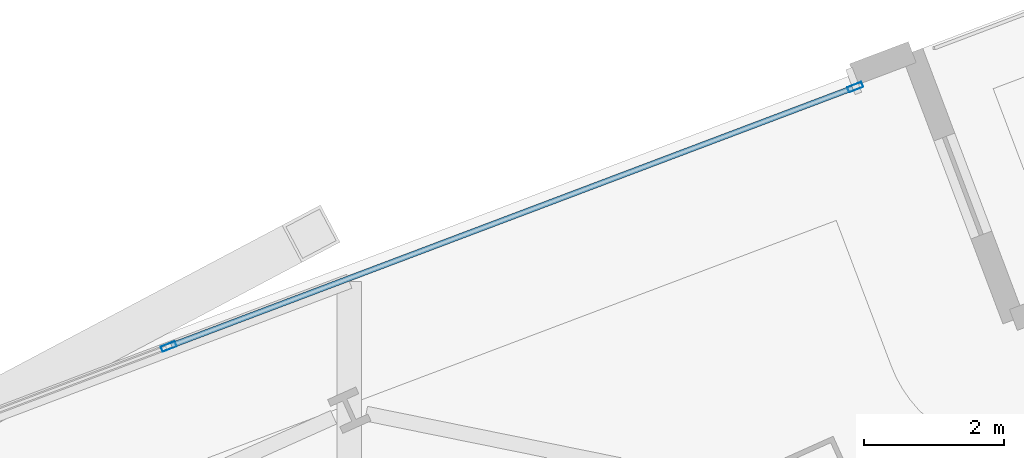
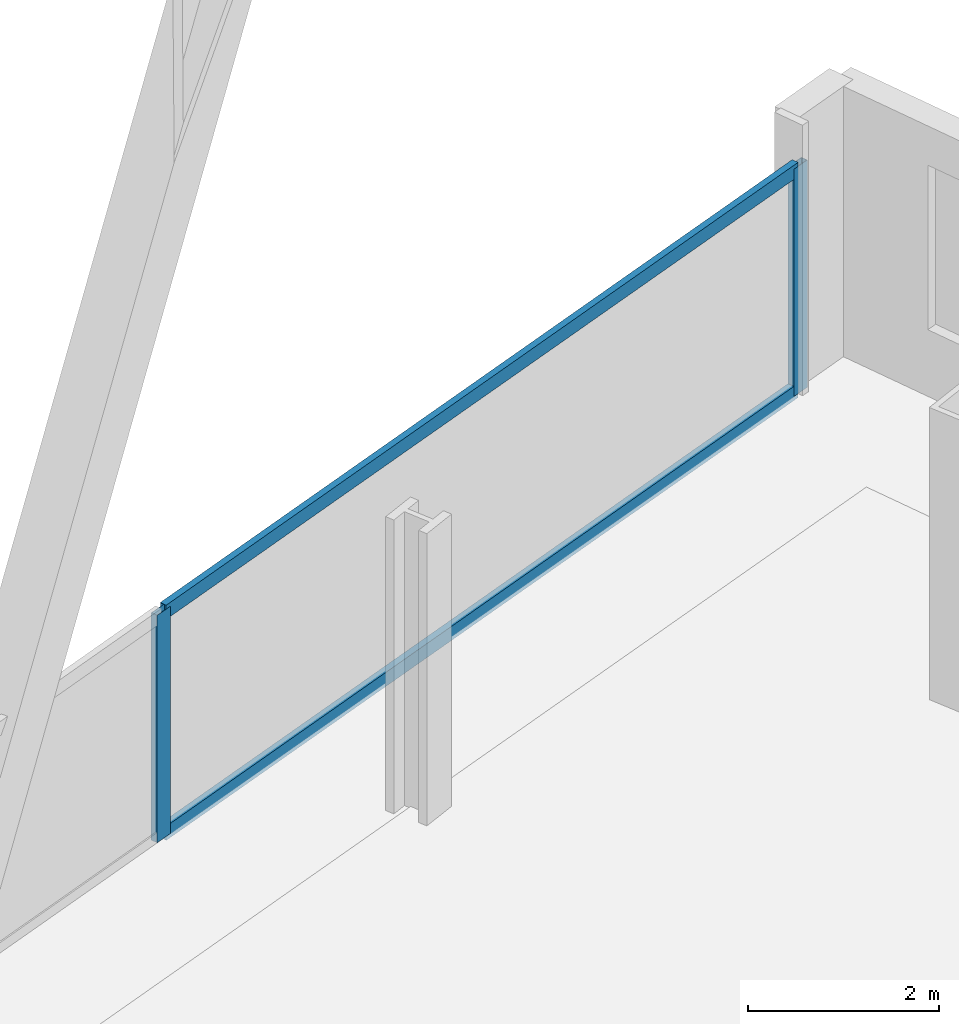
# One storey, part 26 of 37: 4 members, 1 element without a shape of its own.
"""IFC4 building model written with IfcOpenShell, lengths in metres."""

import ifcopenshell
import ifcopenshell.guid

model = None  # the IFC model being written
_history = None  # IfcOwnerHistory: only IFC2X3 demands one
_inside = {}  # id of a spatial element -> (the spatial element, [elements in it])
_under = {}  # id of a project, library or spatial element -> (it, [spatial elements below it])
_declared = {}  # id of a project -> (the project, [libraries it declares])
_typed = {}  # id of a type object -> (the type object, [elements of that type])
_made_of = {}  # id of a material, layer set ... -> (it, [elements and type objects made of it])


def new_model(schema):
    """Start an empty IFC model of exactly this schema.

    Asked for "IFC4X3", IfcOpenShell would pick the latest addendum, in which some entities
    have other attributes; the version numbers below select the first issue.
    IFC2X3 requires an IfcOwnerHistory on every rooted entity: one is made here for all.
    """
    global model, _history
    if schema == "IFC4X3":
        model = ifcopenshell.file(schema_version=(4, 3, 0, 0))
    else:
        model = ifcopenshell.file(schema=schema)
    _inside.clear()
    _under.clear()
    _declared.clear()
    _typed.clear()
    _made_of.clear()
    _history = None
    if model.schema == "IFC2X3":
        org = make("IfcOrganization", Name="unknown")
        user = make(
            "IfcPersonAndOrganization",
            ThePerson=make("IfcPerson", FamilyName="unknown"),
            TheOrganization=org,
        )
        app = make(
            "IfcApplication",
            ApplicationDeveloper=org,
            Version="unknown",
            ApplicationFullName="unknown",
            ApplicationIdentifier="unknown",
        )
        _history = make(
            "IfcOwnerHistory",
            OwningUser=user,
            OwningApplication=app,
            ChangeAction="ADDED",
            CreationDate=0,
        )
    return model


def make(cls, **values):
    """One entity of the class cls with the attributes given. An attribute that is None is left unset."""
    return model.create_entity(
        cls, **{name: value for name, value in values.items() if value is not None}
    )


def rooted(cls, **values):
    """An entity with a GlobalId (a new one), such as an element, a storey or a relation."""
    return make(cls, GlobalId=ifcopenshell.guid.new(), OwnerHistory=_history, **values)


def si_unit(unit_type, name, prefix=None):
    """IfcSIUnit, for example si_unit("LENGTHUNIT", "METRE", prefix="MILLI")."""
    return make("IfcSIUnit", UnitType=unit_type, Prefix=prefix, Name=name)


def assignment(units):
    """IfcUnitAssignment: the units of a project."""
    return None if units is None else make("IfcUnitAssignment", Units=units)


def point(xyz):
    """IfcCartesianPoint."""
    return None if xyz is None else make("IfcCartesianPoint", Coordinates=xyz)


def direction(xyz):
    """IfcDirection."""
    return None if xyz is None else make("IfcDirection", DirectionRatios=xyz)


def frame(location, z_axis=None, x_axis=None):
    """IfcAxis2Placement3D, a coordinate frame: its origin and axes. An axis left out is left unset."""
    return make(
        "IfcAxis2Placement3D",
        Location=point(location),
        Axis=direction(z_axis),
        RefDirection=direction(x_axis),
    )


def frame_2d(location, x_axis=None):
    """IfcAxis2Placement2D, a coordinate frame in the plane: its origin and x axis."""
    return make(
        "IfcAxis2Placement2D", Location=point(location), RefDirection=direction(x_axis)
    )


def origin():
    """The frame at (0, 0, 0) with its axes left unset."""
    return frame((0.0, 0.0, 0.0))


def origin_2d():
    """The frame at (0, 0) in the plane with its x axis left unset."""
    return frame_2d((0.0, 0.0))


def place(relative_to, where):
    """IfcLocalPlacement: puts the frame where relative to a parent placement (None: the world)."""
    return make(
        "IfcLocalPlacement", PlacementRelTo=relative_to, RelativePlacement=where
    )


def context(
    kind, dimensions, precision=None, world=None, true_north=None, identifier=None
):
    """IfcGeometricRepresentationContext, for example the 3D "Model" context."""
    return make(
        "IfcGeometricRepresentationContext",
        ContextIdentifier=identifier,
        ContextType=kind,
        CoordinateSpaceDimension=dimensions,
        Precision=precision,
        WorldCoordinateSystem=world,
        TrueNorth=true_north,
    )


def subcontext(parent, identifier, kind, view, scale=None):
    """IfcGeometricRepresentationSubContext, for example "Body" below "Model"."""
    return make(
        "IfcGeometricRepresentationSubContext",
        ContextIdentifier=identifier,
        ContextType=kind,
        ParentContext=parent,
        TargetScale=scale,
        TargetView=view,
    )


def project(units=None, contexts=None):
    """IfcProject with its units and contexts."""
    return rooted(
        "IfcProject",
        Name="project",
        RepresentationContexts=contexts,
        UnitsInContext=assignment(units),
    )


def spatial(cls, under=None, at=None, **own):
    """A site, building, storey or space (cls), placed at a placement, below another one or the project."""
    s = rooted(cls, ObjectPlacement=at, **own)
    if under is not None:
        _under.setdefault(under.id(), (under, []))[1].append(s)
    return s


def profile(cls, at=None, kind="AREA", **sizes):
    """A parametric profile (cls). Its sizes go by their IFC names, for example OverallWidth=200.0."""
    return make(cls, ProfileType=kind, Position=at, **sizes)


def hollow_rectangle(**sizes):
    """IfcRectangleHollowProfileDef."""
    return profile("IfcRectangleHollowProfileDef", **sizes)


def extrude(swept, where, along, depth):
    """IfcExtrudedAreaSolid: the profile swept, set in the frame where, extruded along a direction by depth."""
    return make(
        "IfcExtrudedAreaSolid",
        SweptArea=swept,
        Position=where,
        ExtrudedDirection=direction(along),
        Depth=depth,
    )


def shape(context_of_items, identifier, shape_type, items):
    """IfcShapeRepresentation: the items that make up one representation, for example the "Body"."""
    return make(
        "IfcShapeRepresentation",
        ContextOfItems=context_of_items,
        RepresentationIdentifier=identifier,
        RepresentationType=shape_type,
        Items=items,
    )


def material(Name=None, Category=None):
    """IfcMaterial."""
    return make("IfcMaterial", Name=Name, Category=Category)


def material_profile(
    of_material, cross_section, Name=None, Category=None, Priority=None
):
    """IfcMaterialProfile: a cross section and its material."""
    return make(
        "IfcMaterialProfile",
        Name=Name,
        Material=of_material,
        Profile=cross_section,
        Priority=Priority,
        Category=Category,
    )


def profile_set(profiles, Name=None, composite=None):
    """IfcMaterialProfileSet."""
    return make(
        "IfcMaterialProfileSet",
        Name=Name,
        MaterialProfiles=profiles,
        CompositeProfile=composite,
    )


def made_of(thing, what):
    """Note that an element or type object is made of a material, layer set ...; save() writes the relation."""
    if what is not None:
        _made_of.setdefault(what.id(), (what, []))[1].append(thing)
    return thing


def type_object(cls, material=None, **own):
    """A type object (cls), such as IfcWallType, which elements share."""
    return made_of(rooted(cls, **own), material)


def element(
    cls,
    number,
    at=None,
    inside=None,
    cuts=None,
    type_object=None,
    material=None,
    context=None,
    identifier="Body",
    shape_type=None,
    held_by="IfcProductDefinitionShape",
    body=None,
    shapes=None,
    **own,
):
    """One element of the class cls, such as IfcWall. Its Tag is "e" and its number.

    at: its placement. inside: the storey or other place that contains it. cuts: it is an
    opening in that element (IfcRelVoidsElement). A single representation is given by context,
    identifier, shape_type and body (its items); several are given by shapes. held_by: the class
    of the entity that holds the representations. save() writes the other relations.
    """
    e = rooted(cls, Tag="e%d" % number, ObjectPlacement=at, **own)
    if body is not None:
        shapes = [shape(context, identifier, shape_type, body)]
    if shapes is not None:
        e.Representation = make(held_by, Representations=shapes)
    if inside is not None:
        _inside.setdefault(inside.id(), (inside, []))[1].append(e)
    if cuts is not None:
        rooted(
            "IfcRelVoidsElement", RelatingBuildingElement=cuts, RelatedOpeningElement=e
        )
    if type_object is not None:
        _typed.setdefault(type_object.id(), (type_object, []))[1].append(e)
    return made_of(e, material)


def aggregate(whole, parts):
    """IfcRelAggregates: a whole, such as a stair, and the parts it consists of."""
    return rooted("IfcRelAggregates", RelatingObject=whole, RelatedObjects=parts)


def save(model, path):
    """Write the relations noted so far, then the file.

    IfcRelAggregates (storeys below a building ...), IfcRelContainedInSpatialStructure (elements
    in a storey), IfcRelDefinesByType, IfcRelAssociatesMaterial and IfcRelDeclares: one each for
    every whole, place, type object, material and project.
    """
    for whole, parts in _under.values():
        aggregate(whole, parts)
    for where, things in _inside.values():
        rooted(
            "IfcRelContainedInSpatialStructure",
            RelatedElements=things,
            RelatingStructure=where,
        )
    for kind, things in _typed.values():
        rooted("IfcRelDefinesByType", RelatedObjects=things, RelatingType=kind)
    for what, things in _made_of.values():
        rooted("IfcRelAssociatesMaterial", RelatedObjects=things, RelatingMaterial=what)
    for by, libraries in _declared.values():
        rooted("IfcRelDeclares", RelatingContext=by, RelatedDefinitions=libraries)
    model.write(path)


model = new_model("IFC4")

# Units and contexts
model_context = context("Model", 3, precision=1e-05, world=origin(), true_north=direction((0.0, 1.0)))
body_context = subcontext(model_context, "Body", "Model", "MODEL_VIEW")
ifc_project = project(units=[si_unit("LENGTHUNIT", "METRE"), si_unit("AREAUNIT", "SQUARE_METRE"), si_unit("VOLUMEUNIT", "CUBIC_METRE"), si_unit("PLANEANGLEUNIT", "RADIAN"), si_unit("MASSUNIT", "GRAM", prefix="KILO")], contexts=[model_context])

# Site, building, storey
site_placement = place(None, origin())
site = spatial("IfcSite", under=ifc_project, at=site_placement, CompositionType="ELEMENT")
building_placement = place(site_placement, origin())
building = spatial("IfcBuilding", under=site, at=building_placement, Name="Haldenkirk Collegiate Tower", CompositionType="ELEMENT")
storey_placement = place(building_placement, frame((0.0, 0.0, 97.949951171875)))
storey = spatial("IfcBuildingStorey", under=building, at=storey_placement, Name="L23", CompositionType="ELEMENT", Elevation=97.949951171875)

# Curtain wall, members
ifc_material = material(Name="Anodised architectural bronze aluminium", Category="aluminium")
curtain_wall_type = type_object("IfcCurtainWallType", Name="CW-SYS1-CONVEX-LOW", PredefinedType="USERDEFINED", material=ifc_material)
curtain_wall_placement = place(storey_placement, origin())
curtain_wall = element("IfcCurtainWall", 1, at=curtain_wall_placement, inside=storey, type_object=curtain_wall_type, Name="L23 Lower tower convex bronze-framed unitised curtain wall", ObjectType="UNITISED CURTAIN WALL", PredefinedType="USERDEFINED")
ifc_material_profile_1 = material_profile(ifc_material, hollow_rectangle(XDim=0.080078125, YDim=0.219970703125, WallThickness=0.0048828125, at=origin_2d()), Name="CW-MUL-1A")
ifc_profile_set_1 = profile_set([ifc_material_profile_1], Name="Anodised architectural bronze aluminium")
member_type_1 = type_object("IfcMemberType", Name="CW-MUL-1A", PredefinedType="MULLION", material=ifc_profile_set_1)
member_1_placement = place(storey_placement, frame((37.130859375, 52.853271484375, 0.0), z_axis=(0.0, 0.0, 1.0), x_axis=(-0.353476419489, 0.935443435417, 0.0)))
member_1 = element("IfcMember", 2, at=member_1_placement, type_object=member_type_1, Name="CW-1A mullion 4", PredefinedType="MULLION", context=body_context, shape_type="SweptSolid", body=[
    extrude(hollow_rectangle(XDim=0.080078125, YDim=0.219970703125, WallThickness=0.0048828125, at=origin_2d()), origin(), (0.0, 0.0, 1.0), 2.901123046875),
])
member_2_placement = place(storey_placement, frame((46.96240234375, 56.568359375, 0.0), z_axis=(0.0, 0.0, 1.0), x_axis=(-0.353476419489, 0.935443435417, 0.0)))
member_2 = element("IfcMember", 3, at=member_2_placement, type_object=member_type_1, Name="CW-1A mullion 5", PredefinedType="MULLION", context=body_context, shape_type="SweptSolid", body=[
    extrude(hollow_rectangle(XDim=0.080078125, YDim=0.219970703125, WallThickness=0.0048828125, at=origin_2d()), origin(), (0.0, 0.0, 1.0), 2.901123046875),
])
ifc_material_profile_2 = material_profile(ifc_material, hollow_rectangle(XDim=0.080078125, YDim=0.179931640625, WallThickness=0.0048828125, at=origin_2d()), Name="CW-TRN-1A")
ifc_profile_set_2 = profile_set([ifc_material_profile_2], Name="Anodised architectural bronze aluminium")
member_type_2 = type_object("IfcMemberType", Name="CW-TRN-1A", PredefinedType="USERDEFINED", material=ifc_profile_set_2)
member_3_placement = place(storey_placement, frame((37.16845703125, 52.867431640625, 0.0400390625), z_axis=(0.935442168103, 0.353479773303, 0.0), x_axis=(-0.353479773303, 0.935442168103, 0.0)))
member_3 = element("IfcMember", 4, at=member_3_placement, type_object=member_type_2, Name="CW-1A transom 4.1", ObjectType="TRANSOM", PredefinedType="USERDEFINED", context=body_context, shape_type="SweptSolid", body=[
    extrude(hollow_rectangle(XDim=0.080078125, YDim=0.179931640625, WallThickness=0.0048828125, at=origin_2d()), origin(), (0.0, 0.0, 1.0), 10.429931640625),
])
member_4_placement = place(storey_placement, frame((37.16845703125, 52.867431640625, 2.861083984375), z_axis=(0.935442168103, 0.353479773303, 0.0), x_axis=(-0.353479773303, 0.935442168103, 0.0)))
member_4 = element("IfcMember", 5, at=member_4_placement, type_object=member_type_2, Name="CW-1A transom 4.2", ObjectType="TRANSOM", PredefinedType="USERDEFINED", context=body_context, shape_type="SweptSolid", body=[
    extrude(hollow_rectangle(XDim=0.080078125, YDim=0.179931640625, WallThickness=0.0048828125, at=origin_2d()), origin(), (0.0, 0.0, 1.0), 10.429931640625),
])
aggregate(curtain_wall, [member_1, member_2, member_3, member_4])

save(model, "model.ifc")
